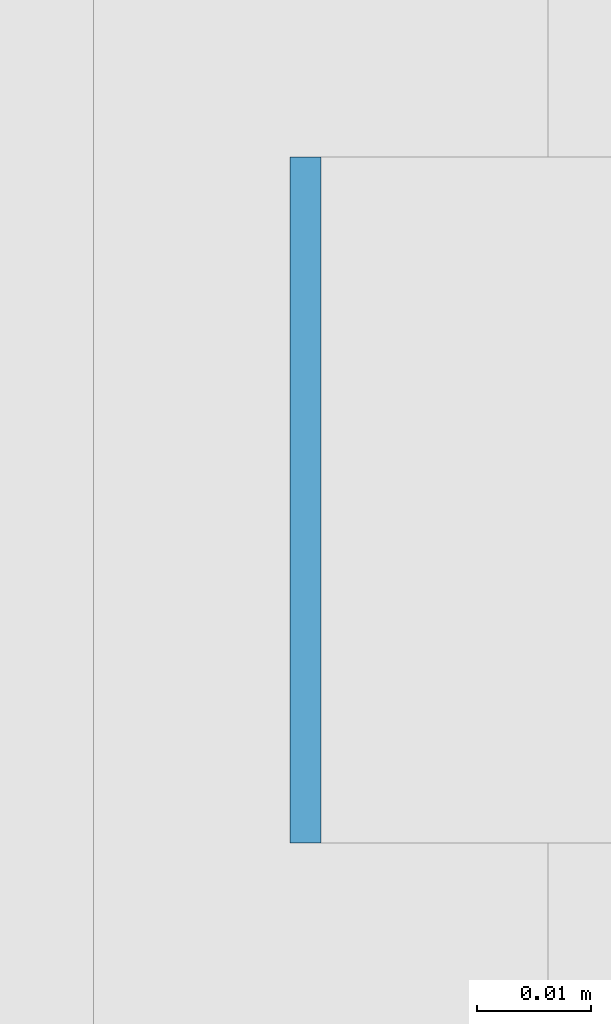
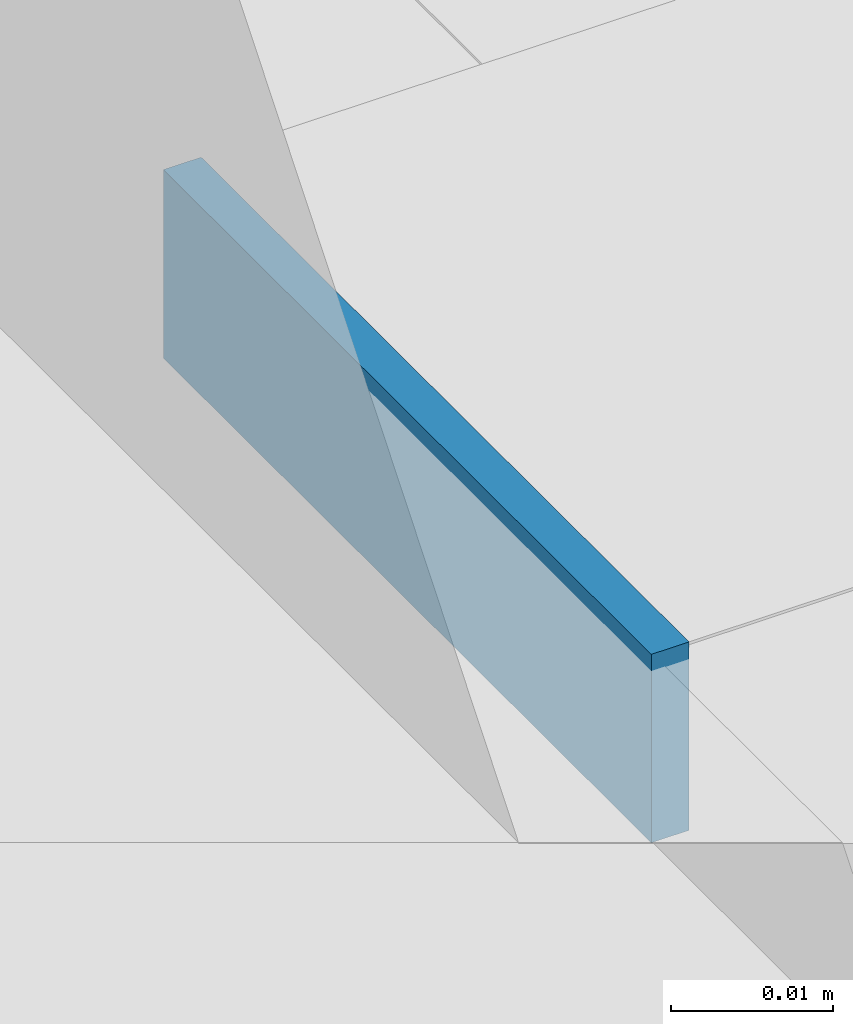
# One storey, part 465 of 646: 1 discrete accessory.
"""IFC4 building model written with IfcOpenShell, lengths in metres."""

from ifc_helpers import new_model, si_unit, direction, frame, origin, origin_2d, place, context, subcontext, project, spatial, rectangle, extrude, material, type_object, element, save


model = new_model("IFC4")

# Units and contexts
model_context = context("Model", 3, precision=1e-05, world=origin(), true_north=direction((0.0, 1.0)))
body_context = subcontext(model_context, "Body", "Model", "MODEL_VIEW")
ifc_project = project(units=[si_unit("LENGTHUNIT", "METRE"), si_unit("AREAUNIT", "SQUARE_METRE"), si_unit("VOLUMEUNIT", "CUBIC_METRE"), si_unit("PLANEANGLEUNIT", "RADIAN"), si_unit("MASSUNIT", "GRAM", prefix="KILO")], contexts=[model_context])

# Site, building, storey
site_placement = place(None, origin())
site = spatial("IfcSite", under=ifc_project, at=site_placement, CompositionType="ELEMENT")
building_placement = place(site_placement, origin())
building = spatial("IfcBuilding", under=site, at=building_placement, Name="Silverbay Arena", CompositionType="ELEMENT")
storey_placement = place(building_placement, frame((0.0, 0.0, 33.5)))
storey = spatial("IfcBuildingStorey", under=building, at=storey_placement, Name="L05", CompositionType="ELEMENT", Elevation=33.5)

# Discrete accessory
ifc_material = material(Name="Steel S355", Category="steel")
discrete_accessory_type = type_object("IfcDiscreteAccessoryType", Name="Steel bracket plate", PredefinedType="BRACKET", material=ifc_material)
discrete_accessory_placement = place(storey_placement, frame((207.128662109375, 47.571533203125, 12.98583984375), z_axis=(0.0, 0.0, 1.0), x_axis=(1.0, 0.0, 0.0)))
element("IfcDiscreteAccessory", 1, at=discrete_accessory_placement, inside=storey, type_object=discrete_accessory_type, Name="Curtain wall packing plate", PredefinedType="BRACKET", context=body_context, shape_type="SweptSolid", body=[
    extrude(rectangle(XDim=0.002685546875, YDim=0.06005859375, at=origin_2d()), origin(), (0.0, 0.0, 1.0), 0.01416015625),
])

save(model, "model.ifc")
